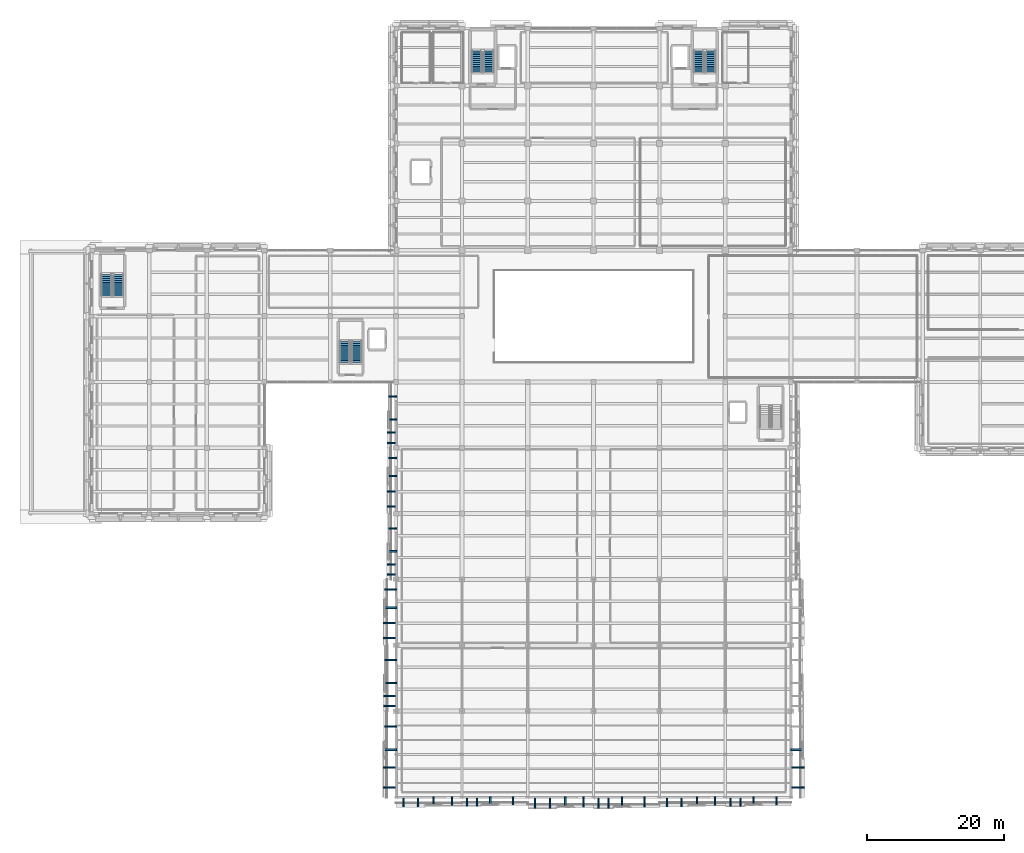
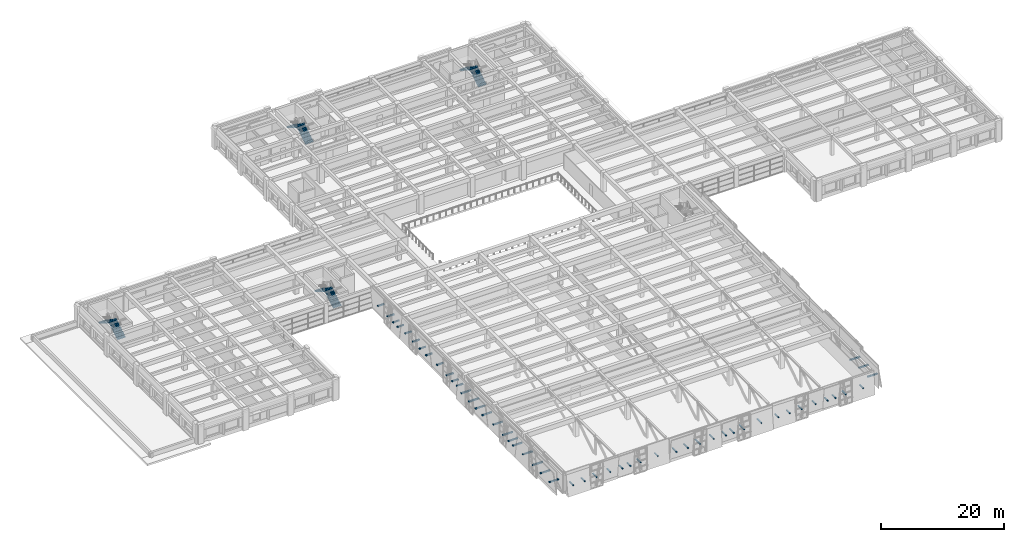
# One storey, part 50 of 62: 51 discrete accessories, 8 stair flights, 4 elements without a shape of their own.
"""IFC4 building model written with IfcOpenShell, lengths in metres."""

import ifcopenshell
import ifcopenshell.guid

model = None  # the IFC model being written
_history = None  # IfcOwnerHistory: only IFC2X3 demands one
_inside = {}  # id of a spatial element -> (the spatial element, [elements in it])
_under = {}  # id of a project, library or spatial element -> (it, [spatial elements below it])
_declared = {}  # id of a project -> (the project, [libraries it declares])
_typed = {}  # id of a type object -> (the type object, [elements of that type])
_made_of = {}  # id of a material, layer set ... -> (it, [elements and type objects made of it])


def new_model(schema):
    """Start an empty IFC model of exactly this schema.

    Asked for "IFC4X3", IfcOpenShell would pick the latest addendum, in which some entities
    have other attributes; the version numbers below select the first issue.
    IFC2X3 requires an IfcOwnerHistory on every rooted entity: one is made here for all.
    """
    global model, _history
    if schema == "IFC4X3":
        model = ifcopenshell.file(schema_version=(4, 3, 0, 0))
    else:
        model = ifcopenshell.file(schema=schema)
    _inside.clear()
    _under.clear()
    _declared.clear()
    _typed.clear()
    _made_of.clear()
    _history = None
    if model.schema == "IFC2X3":
        org = make("IfcOrganization", Name="unknown")
        user = make(
            "IfcPersonAndOrganization",
            ThePerson=make("IfcPerson", FamilyName="unknown"),
            TheOrganization=org,
        )
        app = make(
            "IfcApplication",
            ApplicationDeveloper=org,
            Version="unknown",
            ApplicationFullName="unknown",
            ApplicationIdentifier="unknown",
        )
        _history = make(
            "IfcOwnerHistory",
            OwningUser=user,
            OwningApplication=app,
            ChangeAction="ADDED",
            CreationDate=0,
        )
    return model


def make(cls, **values):
    """One entity of the class cls with the attributes given. An attribute that is None is left unset."""
    return model.create_entity(
        cls, **{name: value for name, value in values.items() if value is not None}
    )


def rooted(cls, **values):
    """An entity with a GlobalId (a new one), such as an element, a storey or a relation."""
    return make(cls, GlobalId=ifcopenshell.guid.new(), OwnerHistory=_history, **values)


def si_unit(unit_type, name, prefix=None):
    """IfcSIUnit, for example si_unit("LENGTHUNIT", "METRE", prefix="MILLI")."""
    return make("IfcSIUnit", UnitType=unit_type, Prefix=prefix, Name=name)


def assignment(units):
    """IfcUnitAssignment: the units of a project."""
    return None if units is None else make("IfcUnitAssignment", Units=units)


def point(xyz):
    """IfcCartesianPoint."""
    return None if xyz is None else make("IfcCartesianPoint", Coordinates=xyz)


def direction(xyz):
    """IfcDirection."""
    return None if xyz is None else make("IfcDirection", DirectionRatios=xyz)


def frame(location, z_axis=None, x_axis=None):
    """IfcAxis2Placement3D, a coordinate frame: its origin and axes. An axis left out is left unset."""
    return make(
        "IfcAxis2Placement3D",
        Location=point(location),
        Axis=direction(z_axis),
        RefDirection=direction(x_axis),
    )


def frame_2d(location, x_axis=None):
    """IfcAxis2Placement2D, a coordinate frame in the plane: its origin and x axis."""
    return make(
        "IfcAxis2Placement2D", Location=point(location), RefDirection=direction(x_axis)
    )


def origin():
    """The frame at (0, 0, 0) with its axes left unset."""
    return frame((0.0, 0.0, 0.0))


def origin_2d():
    """The frame at (0, 0) in the plane with its x axis left unset."""
    return frame_2d((0.0, 0.0))


def place(relative_to, where):
    """IfcLocalPlacement: puts the frame where relative to a parent placement (None: the world)."""
    return make(
        "IfcLocalPlacement", PlacementRelTo=relative_to, RelativePlacement=where
    )


def context(
    kind, dimensions, precision=None, world=None, true_north=None, identifier=None
):
    """IfcGeometricRepresentationContext, for example the 3D "Model" context."""
    return make(
        "IfcGeometricRepresentationContext",
        ContextIdentifier=identifier,
        ContextType=kind,
        CoordinateSpaceDimension=dimensions,
        Precision=precision,
        WorldCoordinateSystem=world,
        TrueNorth=true_north,
    )


def subcontext(parent, identifier, kind, view, scale=None):
    """IfcGeometricRepresentationSubContext, for example "Body" below "Model"."""
    return make(
        "IfcGeometricRepresentationSubContext",
        ContextIdentifier=identifier,
        ContextType=kind,
        ParentContext=parent,
        TargetScale=scale,
        TargetView=view,
    )


def project(units=None, contexts=None):
    """IfcProject with its units and contexts."""
    return rooted(
        "IfcProject",
        Name="project",
        RepresentationContexts=contexts,
        UnitsInContext=assignment(units),
    )


def spatial(cls, under=None, at=None, **own):
    """A site, building, storey or space (cls), placed at a placement, below another one or the project."""
    s = rooted(cls, ObjectPlacement=at, **own)
    if under is not None:
        _under.setdefault(under.id(), (under, []))[1].append(s)
    return s


def polyline(points):
    """IfcPolyline through the points."""
    return make("IfcPolyline", Points=[point(p) for p in points])


def profile(cls, at=None, kind="AREA", **sizes):
    """A parametric profile (cls). Its sizes go by their IFC names, for example OverallWidth=200.0."""
    return make(cls, ProfileType=kind, Position=at, **sizes)


def rectangle(**sizes):
    """IfcRectangleProfileDef."""
    return profile("IfcRectangleProfileDef", **sizes)


def outline(outer, holes=None, kind="AREA"):
    """IfcArbitraryClosedProfileDef: a profile drawn as a closed curve; with holes, ...WithVoids."""
    if holes is None:
        return make("IfcArbitraryClosedProfileDef", ProfileType=kind, OuterCurve=outer)
    return make(
        "IfcArbitraryProfileDefWithVoids",
        ProfileType=kind,
        OuterCurve=outer,
        InnerCurves=holes,
    )


def extrude(swept, where, along, depth):
    """IfcExtrudedAreaSolid: the profile swept, set in the frame where, extruded along a direction by depth."""
    return make(
        "IfcExtrudedAreaSolid",
        SweptArea=swept,
        Position=where,
        ExtrudedDirection=direction(along),
        Depth=depth,
    )


def shape(context_of_items, identifier, shape_type, items):
    """IfcShapeRepresentation: the items that make up one representation, for example the "Body"."""
    return make(
        "IfcShapeRepresentation",
        ContextOfItems=context_of_items,
        RepresentationIdentifier=identifier,
        RepresentationType=shape_type,
        Items=items,
    )


def material(Name=None, Category=None):
    """IfcMaterial."""
    return make("IfcMaterial", Name=Name, Category=Category)


def layer(
    of_material, thickness, ventilated=None, Name=None, Category=None, Priority=None
):
    """IfcMaterialLayer: one layer of a wall or slab, of a material (None: an air gap)."""
    return make(
        "IfcMaterialLayer",
        Material=of_material,
        LayerThickness=thickness,
        IsVentilated=ventilated,
        Name=Name,
        Category=Category,
        Priority=Priority,
    )


def layer_set(layers, Name=None):
    """IfcMaterialLayerSet."""
    return make("IfcMaterialLayerSet", MaterialLayers=layers, LayerSetName=Name)


def made_of(thing, what):
    """Note that an element or type object is made of a material, layer set ...; save() writes the relation."""
    if what is not None:
        _made_of.setdefault(what.id(), (what, []))[1].append(thing)
    return thing


def type_object(cls, material=None, **own):
    """A type object (cls), such as IfcWallType, which elements share."""
    return made_of(rooted(cls, **own), material)


def element(
    cls,
    number,
    at=None,
    inside=None,
    cuts=None,
    type_object=None,
    material=None,
    context=None,
    identifier="Body",
    shape_type=None,
    held_by="IfcProductDefinitionShape",
    body=None,
    shapes=None,
    **own,
):
    """One element of the class cls, such as IfcWall. Its Tag is "e" and its number.

    at: its placement. inside: the storey or other place that contains it. cuts: it is an
    opening in that element (IfcRelVoidsElement). A single representation is given by context,
    identifier, shape_type and body (its items); several are given by shapes. held_by: the class
    of the entity that holds the representations. save() writes the other relations.
    """
    e = rooted(cls, Tag="e%d" % number, ObjectPlacement=at, **own)
    if body is not None:
        shapes = [shape(context, identifier, shape_type, body)]
    if shapes is not None:
        e.Representation = make(held_by, Representations=shapes)
    if inside is not None:
        _inside.setdefault(inside.id(), (inside, []))[1].append(e)
    if cuts is not None:
        rooted(
            "IfcRelVoidsElement", RelatingBuildingElement=cuts, RelatedOpeningElement=e
        )
    if type_object is not None:
        _typed.setdefault(type_object.id(), (type_object, []))[1].append(e)
    return made_of(e, material)


def aggregate(whole, parts):
    """IfcRelAggregates: a whole, such as a stair, and the parts it consists of."""
    return rooted("IfcRelAggregates", RelatingObject=whole, RelatedObjects=parts)


def save(model, path):
    """Write the relations noted so far, then the file.

    IfcRelAggregates (storeys below a building ...), IfcRelContainedInSpatialStructure (elements
    in a storey), IfcRelDefinesByType, IfcRelAssociatesMaterial and IfcRelDeclares: one each for
    every whole, place, type object, material and project.
    """
    for whole, parts in _under.values():
        aggregate(whole, parts)
    for where, things in _inside.values():
        rooted(
            "IfcRelContainedInSpatialStructure",
            RelatedElements=things,
            RelatingStructure=where,
        )
    for kind, things in _typed.values():
        rooted("IfcRelDefinesByType", RelatedObjects=things, RelatingType=kind)
    for what, things in _made_of.values():
        rooted("IfcRelAssociatesMaterial", RelatedObjects=things, RelatingMaterial=what)
    for by, libraries in _declared.values():
        rooted("IfcRelDeclares", RelatingContext=by, RelatedDefinitions=libraries)
    model.write(path)


model = new_model("IFC4")

# Units and contexts
model_context = context("Model", 3, precision=1e-05, world=origin(), true_north=direction((0.0, 1.0)))
body_context = subcontext(model_context, "Body", "Model", "MODEL_VIEW")
ifc_project = project(units=[si_unit("LENGTHUNIT", "METRE"), si_unit("AREAUNIT", "SQUARE_METRE"), si_unit("VOLUMEUNIT", "CUBIC_METRE"), si_unit("PLANEANGLEUNIT", "RADIAN"), si_unit("MASSUNIT", "GRAM", prefix="KILO")], contexts=[model_context])

# Site, building, storey
site_placement = place(None, origin())
site = spatial("IfcSite", under=ifc_project, at=site_placement, CompositionType="ELEMENT")
building_placement = place(site_placement, origin())
building = spatial("IfcBuilding", under=site, at=building_placement, Name="Bempovik Park Faculty of Sciences", CompositionType="ELEMENT")
storey_placement = place(building_placement, frame((0.0, 0.0, 9.89990234375)))
storey = spatial("IfcBuildingStorey", under=building, at=storey_placement, Name="L02", CompositionType="ELEMENT", Elevation=9.89990234375)

# Stair, stair flights
ifc_material_1 = material(Name="Concrete C35/45", Category="concrete")
stair_type = type_object("IfcStairType", Name="ST-16 Stair W1500 H4200", PredefinedType="HALF_TURN_STAIR", material=ifc_material_1)
stair_1_placement = place(storey_placement, origin())
stair_1 = element("IfcStair", 1, at=stair_1_placement, inside=storey, type_object=stair_type, Name="L02 ST-1 Dog-Leg Exit Stair", PredefinedType="HALF_TURN_STAIR")
stair_flight_type = type_object("IfcStairFlightType", Name="FL-13 Flight W1500 H4200", PredefinedType="STRAIGHT", material=ifc_material_1)
stair_flight_1_placement = place(storey_placement, frame((73.5, 113.0, 0.0), z_axis=(0.0, 0.0, 1.0), x_axis=(0.0, 1.0, 0.0)))
stair_flight_1 = element("IfcStairFlight", 2, at=stair_flight_1_placement, type_object=stair_flight_type, Name="ST-16 flight 1", NumberOfRisers=12, NumberOfTreads=11, PredefinedType="STRAIGHT", RiserHeight=0.175, TreadLength=0.28125, context=body_context, shape_type="SweptSolid", body=[
    extrude(outline(polyline([(0.0, 0.0), (0.0, 0.175048828125), (0.28125, 0.175048828125), (0.28125, 0.35009765625), (0.5625, 0.35009765625), (0.5625, 0.52490234375), (0.84375, 0.52490234375), (0.84375, 0.699951171875), (1.125, 0.699951171875), (1.125, 0.875), (1.40625, 0.875), (1.40625, 1.050048828125), (1.6875, 1.050048828125), (1.6875, 1.22509765625), (1.96875, 1.22509765625), (1.96875, 1.39990234375), (2.25, 1.39990234375), (2.25, 1.574951171875), (2.53125, 1.574951171875), (2.53125, 1.75), (2.8125, 1.75), (2.8125, 1.925048828125), (3.09375, 1.925048828125), (3.09375, 2.10009765625), (3.09375, 1.74853515625), (0.28369140625, 0.0), (0.0625, -0.0625), (0.0, -0.0625), (0.0, 0.0)])), frame((0.0, 0.75, 0.0), z_axis=(0.0, -1.0, 0.0), x_axis=(1.0, 0.0, 0.0)), (0.0, 0.0, 1.0), 1.5),
])
stair_flight_2_placement = place(storey_placement, frame((71.75, 116.09375, 2.10009765625), z_axis=(0.0, 0.0, 1.0), x_axis=(0.0, -1.0, 0.0)))
stair_flight_2 = element("IfcStairFlight", 3, at=stair_flight_2_placement, type_object=stair_flight_type, Name="ST-16 flight 2", NumberOfRisers=12, NumberOfTreads=11, PredefinedType="STRAIGHT", RiserHeight=0.175, TreadLength=0.28125, context=body_context, shape_type="SweptSolid", body=[
    extrude(outline(polyline([(0.0, 0.0), (0.0, 0.175048828125), (0.28125, 0.175048828125), (0.28125, 0.35009765625), (0.5625, 0.35009765625), (0.5625, 0.52490234375), (0.84375, 0.52490234375), (0.84375, 0.699951171875), (1.125, 0.699951171875), (1.125, 0.875), (1.40625, 0.875), (1.40625, 1.050048828125), (1.6875, 1.050048828125), (1.6875, 1.22509765625), (1.96875, 1.22509765625), (1.96875, 1.39990234375), (2.25, 1.39990234375), (2.25, 1.574951171875), (2.53125, 1.574951171875), (2.53125, 1.75), (2.8125, 1.75), (2.8125, 1.925048828125), (3.09375, 1.925048828125), (3.09375, 2.10009765625), (3.09375, 1.74853515625), (0.28369140625, 0.0), (0.0625, -0.0625), (0.0, -0.0625), (0.0, 0.0)])), frame((0.0, 0.75, 0.0), z_axis=(0.0, -1.0, 0.0), x_axis=(1.0, 0.0, 0.0)), (0.0, 0.0, 1.0), 1.5),
])
aggregate(stair_1, [stair_flight_1, stair_flight_2])

stair_2_placement = place(storey_placement, origin())
stair_2 = element("IfcStair", 4, at=stair_2_placement, inside=storey, type_object=stair_type, Name="L02 ST-2 Dog-Leg Exit Stair", PredefinedType="HALF_TURN_STAIR")
stair_flight_3_placement = place(storey_placement, frame((105.875, 113.0, 0.0), z_axis=(0.0, 0.0, 1.0), x_axis=(0.0, 1.0, 0.0)))
stair_flight_3 = element("IfcStairFlight", 5, at=stair_flight_3_placement, type_object=stair_flight_type, Name="ST-16 flight 1", NumberOfRisers=12, NumberOfTreads=11, PredefinedType="STRAIGHT", RiserHeight=0.175, TreadLength=0.28125, context=body_context, shape_type="SweptSolid", body=[
    extrude(outline(polyline([(0.0, 0.0), (0.0, 0.175048828125), (0.28125, 0.175048828125), (0.28125, 0.35009765625), (0.5625, 0.35009765625), (0.5625, 0.52490234375), (0.84375, 0.52490234375), (0.84375, 0.699951171875), (1.125, 0.699951171875), (1.125, 0.875), (1.40625, 0.875), (1.40625, 1.050048828125), (1.6875, 1.050048828125), (1.6875, 1.22509765625), (1.96875, 1.22509765625), (1.96875, 1.39990234375), (2.25, 1.39990234375), (2.25, 1.574951171875), (2.53125, 1.574951171875), (2.53125, 1.75), (2.8125, 1.75), (2.8125, 1.925048828125), (3.09375, 1.925048828125), (3.09375, 2.10009765625), (3.09375, 1.74853515625), (0.28369140625, 0.0), (0.0625, -0.0625), (0.0, -0.0625), (0.0, 0.0)])), frame((0.0, 0.75, 0.0), z_axis=(0.0, -1.0, 0.0), x_axis=(1.0, 0.0, 0.0)), (0.0, 0.0, 1.0), 1.5),
])
stair_flight_4_placement = place(storey_placement, frame((104.125, 116.09375, 2.10009765625), z_axis=(0.0, 0.0, 1.0), x_axis=(0.0, -1.0, 0.0)))
stair_flight_4 = element("IfcStairFlight", 6, at=stair_flight_4_placement, type_object=stair_flight_type, Name="ST-16 flight 2", NumberOfRisers=12, NumberOfTreads=11, PredefinedType="STRAIGHT", RiserHeight=0.175, TreadLength=0.28125, context=body_context, shape_type="SweptSolid", body=[
    extrude(outline(polyline([(0.0, 0.0), (0.0, 0.175048828125), (0.28125, 0.175048828125), (0.28125, 0.35009765625), (0.5625, 0.35009765625), (0.5625, 0.52490234375), (0.84375, 0.52490234375), (0.84375, 0.699951171875), (1.125, 0.699951171875), (1.125, 0.875), (1.40625, 0.875), (1.40625, 1.050048828125), (1.6875, 1.050048828125), (1.6875, 1.22509765625), (1.96875, 1.22509765625), (1.96875, 1.39990234375), (2.25, 1.39990234375), (2.25, 1.574951171875), (2.53125, 1.574951171875), (2.53125, 1.75), (2.8125, 1.75), (2.8125, 1.925048828125), (3.09375, 1.925048828125), (3.09375, 2.10009765625), (3.09375, 1.74853515625), (0.28369140625, 0.0), (0.0625, -0.0625), (0.0, -0.0625), (0.0, 0.0)])), frame((0.0, 0.75, 0.0), z_axis=(0.0, -1.0, 0.0), x_axis=(1.0, 0.0, 0.0)), (0.0, 0.0, 1.0), 1.5),
])
aggregate(stair_2, [stair_flight_3, stair_flight_4])

stair_3_placement = place(storey_placement, origin())
stair_3 = element("IfcStair", 7, at=stair_3_placement, inside=storey, type_object=stair_type, Name="L02 ST-3 Dog-Leg Exit Stair", PredefinedType="HALF_TURN_STAIR")
stair_flight_5_placement = place(storey_placement, frame((19.5, 80.375, 0.0), z_axis=(0.0, 0.0, 1.0), x_axis=(0.0, 1.0, 0.0)))
stair_flight_5 = element("IfcStairFlight", 8, at=stair_flight_5_placement, type_object=stair_flight_type, Name="ST-16 flight 1", NumberOfRisers=12, NumberOfTreads=11, PredefinedType="STRAIGHT", RiserHeight=0.175, TreadLength=0.28125, context=body_context, shape_type="SweptSolid", body=[
    extrude(outline(polyline([(0.0, 0.0), (0.0, 0.175048828125), (0.28125, 0.175048828125), (0.28125, 0.35009765625), (0.5625, 0.35009765625), (0.5625, 0.52490234375), (0.84375, 0.52490234375), (0.84375, 0.699951171875), (1.125, 0.699951171875), (1.125, 0.875), (1.40625, 0.875), (1.40625, 1.050048828125), (1.6875, 1.050048828125), (1.6875, 1.22509765625), (1.96875, 1.22509765625), (1.96875, 1.39990234375), (2.25, 1.39990234375), (2.25, 1.574951171875), (2.53125, 1.574951171875), (2.53125, 1.75), (2.8125, 1.75), (2.8125, 1.925048828125), (3.09375, 1.925048828125), (3.09375, 2.10009765625), (3.09375, 1.74853515625), (0.28369140625, 0.0), (0.0625, -0.0625), (0.0, -0.0625), (0.0, 0.0)])), frame((0.0, 0.75, 0.0), z_axis=(0.0, -1.0, 0.0), x_axis=(1.0, 0.0, 0.0)), (0.0, 0.0, 1.0), 1.5),
])
stair_flight_6_placement = place(storey_placement, frame((17.75, 83.46875, 2.10009765625), z_axis=(0.0, 0.0, 1.0), x_axis=(0.0, -1.0, 0.0)))
stair_flight_6 = element("IfcStairFlight", 9, at=stair_flight_6_placement, type_object=stair_flight_type, Name="ST-16 flight 2", NumberOfRisers=12, NumberOfTreads=11, PredefinedType="STRAIGHT", RiserHeight=0.175, TreadLength=0.28125, context=body_context, shape_type="SweptSolid", body=[
    extrude(outline(polyline([(0.0, 0.0), (0.0, 0.175048828125), (0.28125, 0.175048828125), (0.28125, 0.35009765625), (0.5625, 0.35009765625), (0.5625, 0.52490234375), (0.84375, 0.52490234375), (0.84375, 0.699951171875), (1.125, 0.699951171875), (1.125, 0.875), (1.40625, 0.875), (1.40625, 1.050048828125), (1.6875, 1.050048828125), (1.6875, 1.22509765625), (1.96875, 1.22509765625), (1.96875, 1.39990234375), (2.25, 1.39990234375), (2.25, 1.574951171875), (2.53125, 1.574951171875), (2.53125, 1.75), (2.8125, 1.75), (2.8125, 1.925048828125), (3.09375, 1.925048828125), (3.09375, 2.10009765625), (3.09375, 1.74853515625), (0.28369140625, 0.0), (0.0625, -0.0625), (0.0, -0.0625), (0.0, 0.0)])), frame((0.0, 0.75, 0.0), z_axis=(0.0, -1.0, 0.0), x_axis=(1.0, 0.0, 0.0)), (0.0, 0.0, 1.0), 1.5),
])
aggregate(stair_3, [stair_flight_5, stair_flight_6])

stair_4_placement = place(storey_placement, origin())
stair_4 = element("IfcStair", 10, at=stair_4_placement, inside=storey, type_object=stair_type, Name="L02 ST-4 Dog-Leg Exit Stair", PredefinedType="HALF_TURN_STAIR")
stair_flight_7_placement = place(storey_placement, frame((54.25, 70.625, 0.0), z_axis=(0.0, 0.0, 1.0), x_axis=(0.0, 1.0, 0.0)))
stair_flight_7 = element("IfcStairFlight", 11, at=stair_flight_7_placement, type_object=stair_flight_type, Name="ST-16 flight 1", NumberOfRisers=12, NumberOfTreads=11, PredefinedType="STRAIGHT", RiserHeight=0.175, TreadLength=0.28125, context=body_context, shape_type="SweptSolid", body=[
    extrude(outline(polyline([(0.0, 0.0), (0.0, 0.175048828125), (0.28125, 0.175048828125), (0.28125, 0.35009765625), (0.5625, 0.35009765625), (0.5625, 0.52490234375), (0.84375, 0.52490234375), (0.84375, 0.699951171875), (1.125, 0.699951171875), (1.125, 0.875), (1.40625, 0.875), (1.40625, 1.050048828125), (1.6875, 1.050048828125), (1.6875, 1.22509765625), (1.96875, 1.22509765625), (1.96875, 1.39990234375), (2.25, 1.39990234375), (2.25, 1.574951171875), (2.53125, 1.574951171875), (2.53125, 1.75), (2.8125, 1.75), (2.8125, 1.925048828125), (3.09375, 1.925048828125), (3.09375, 2.10009765625), (3.09375, 1.74853515625), (0.28369140625, 0.0), (0.0625, -0.0625), (0.0, -0.0625), (0.0, 0.0)])), frame((0.0, 0.75, 0.0), z_axis=(0.0, -1.0, 0.0), x_axis=(1.0, 0.0, 0.0)), (0.0, 0.0, 1.0), 1.5),
])
stair_flight_8_placement = place(storey_placement, frame((52.5, 73.71875, 2.10009765625), z_axis=(0.0, 0.0, 1.0), x_axis=(0.0, -1.0, 0.0)))
stair_flight_8 = element("IfcStairFlight", 12, at=stair_flight_8_placement, type_object=stair_flight_type, Name="ST-16 flight 2", NumberOfRisers=12, NumberOfTreads=11, PredefinedType="STRAIGHT", RiserHeight=0.175, TreadLength=0.28125, context=body_context, shape_type="SweptSolid", body=[
    extrude(outline(polyline([(0.0, 0.0), (0.0, 0.175048828125), (0.28125, 0.175048828125), (0.28125, 0.35009765625), (0.5625, 0.35009765625), (0.5625, 0.52490234375), (0.84375, 0.52490234375), (0.84375, 0.699951171875), (1.125, 0.699951171875), (1.125, 0.875), (1.40625, 0.875), (1.40625, 1.050048828125), (1.6875, 1.050048828125), (1.6875, 1.22509765625), (1.96875, 1.22509765625), (1.96875, 1.39990234375), (2.25, 1.39990234375), (2.25, 1.574951171875), (2.53125, 1.574951171875), (2.53125, 1.75), (2.8125, 1.75), (2.8125, 1.925048828125), (3.09375, 1.925048828125), (3.09375, 2.10009765625), (3.09375, 1.74853515625), (0.28369140625, 0.0), (0.0625, -0.0625), (0.0, -0.0625), (0.0, 0.0)])), frame((0.0, 0.75, 0.0), z_axis=(0.0, -1.0, 0.0), x_axis=(1.0, 0.0, 0.0)), (0.0, 0.0, 1.0), 1.5),
])
aggregate(stair_4, [stair_flight_7, stair_flight_8])

# Discrete accessories
ifc_material_2 = material(Name="Steel S355", Category="steel")
ifc_layer = layer(ifc_material_2, 0.14990234375)
ifc_layer_set = layer_set([ifc_layer], Name="Steel S355")
discrete_accessory_type = type_object("IfcDiscreteAccessoryType", Name="BK-01 Facade Support Bracket", PredefinedType="BRACKET", material=ifc_layer_set)
for number, where, z_axis, x_axis, name in (
    (13, (118.60009765625, 8.648681640625, 1.4501953125), (0.0, 0.0, 1.0), (1.0, 0.0, 0.0), "Crystal Cladding Support Bracket FAC-CRYS-L02-1176-72-BK1"),
    (14, (118.60009765625, 11.54638671875, 1.4501953125), (0.0, 0.0, 1.0), (1.0, 0.0, 0.0), "Crystal Cladding Support Bracket FAC-CRYS-L02-1176-72-BK2"),
):
    element("IfcDiscreteAccessory", number, at=place(storey_placement, frame(where, z_axis=z_axis, x_axis=x_axis)), inside=storey, type_object=discrete_accessory_type, Name=name, PredefinedType="BRACKET", context=body_context, shape_type="SweptSolid", body=[
        extrude(rectangle(XDim=1.80029296875, YDim=0.219970703125, at=origin_2d()), origin(), (0.0, 0.0, 1.0), 0.179931640625),
    ])
discrete_accessory_1_placement = place(storey_placement, frame((118.47021484375, 14.175048828125, 1.4501953125), z_axis=(0.0, 0.0, 1.0), x_axis=(1.0, 0.0, 0.0)))
element("IfcDiscreteAccessory", 15, at=discrete_accessory_1_placement, inside=storey, type_object=discrete_accessory_type, Name="Crystal Fold Tie Bracket FAC-CRYS-L02-1176-72-BKF", PredefinedType="BRACKET", context=body_context, shape_type="SweptSolid", body=[
    extrude(rectangle(XDim=1.900390625, YDim=0.239990234375, at=origin_2d()), origin(), (0.0, 0.0, 1.0), 0.179931640625),
])
discrete_accessory_2_placement = place(storey_placement, frame((68.12744140625, 6.689697265625, 1.4501953125), z_axis=(0.0, 0.0, 1.0), x_axis=(1.0, 0.0, 0.0)))
element("IfcDiscreteAccessory", 16, at=discrete_accessory_2_placement, inside=storey, type_object=discrete_accessory_type, Name="Crystal Cladding Support Bracket FAC-CRYS-L02-72-600-BKR", PredefinedType="BRACKET", context=body_context, shape_type="SweptSolid", body=[
    extrude(rectangle(XDim=0.219970703125, YDim=1.200439453125, at=origin_2d()), origin(), (0.0, 0.0, 1.0), 0.179931640625),
])
for number, where, z_axis, x_axis, name in (
    (17, (61.07373046875, 6.48974609375, 1.4501953125), (0.0, 0.0, 1.0), (1.0, 0.0, 0.0), "Crystal Cladding Support Bracket FAC-CRYS-L02-72-600-BK1"),
    (18, (63.22119140625, 6.48974609375, 1.4501953125), (0.0, 0.0, 1.0), (1.0, 0.0, 0.0), "Crystal Cladding Support Bracket FAC-CRYS-L02-72-600-BK2"),
):
    element("IfcDiscreteAccessory", number, at=place(storey_placement, frame(where, z_axis=z_axis, x_axis=x_axis)), inside=storey, type_object=discrete_accessory_type, Name=name, PredefinedType="BRACKET", context=body_context, shape_type="SweptSolid", body=[
        extrude(rectangle(XDim=0.219970703125, YDim=1.220458984375, at=origin_2d()), origin(), (0.0, 0.0, 1.0), 0.179931640625),
    ])
discrete_accessory_3_placement = place(storey_placement, frame((65.47509765625, 6.619873046875, 1.4501953125), z_axis=(0.0, 0.0, 1.0), x_axis=(1.0, 0.0, 0.0)))
element("IfcDiscreteAccessory", 19, at=discrete_accessory_3_placement, inside=storey, type_object=discrete_accessory_type, Name="Crystal Fold Tie Bracket FAC-CRYS-L02-72-600-BKF", PredefinedType="BRACKET", context=body_context, shape_type="SweptSolid", body=[
    extrude(rectangle(XDim=0.239990234375, YDim=1.3203125, at=origin_2d()), origin(), (0.0, 0.0, 1.0), 0.179931640625),
])
discrete_accessory_4_placement = place(storey_placement, frame((77.052490234375, 6.72216796875, 1.4501953125), z_axis=(0.0, 0.0, 1.0), x_axis=(1.0, 0.0, 0.0)))
element("IfcDiscreteAccessory", 20, at=discrete_accessory_4_placement, inside=storey, type_object=discrete_accessory_type, Name="Crystal Cladding Support Bracket FAC-CRYS-L02-72-696-BKR", PredefinedType="BRACKET", context=body_context, shape_type="SweptSolid", body=[
    extrude(rectangle(XDim=0.219970703125, YDim=1.135986328125, at=origin_2d()), origin(), (0.0, 0.0, 1.0), 0.179931640625),
])
for number, where, z_axis, x_axis, name in (
    (21, (70.336181640625, 6.522216796875, 1.4501953125), (0.0, 0.0, 1.0), (1.0, 0.0, 0.0), "Crystal Cladding Support Bracket FAC-CRYS-L02-72-696-BK1"),
    (22, (71.808837890625, 6.522216796875, 1.4501953125), (0.0, 0.0, 1.0), (1.0, 0.0, 0.0), "Crystal Cladding Support Bracket FAC-CRYS-L02-72-696-BK2"),
):
    element("IfcDiscreteAccessory", number, at=place(storey_placement, frame(where, z_axis=z_axis, x_axis=x_axis)), inside=storey, type_object=discrete_accessory_type, Name=name, PredefinedType="BRACKET", context=body_context, shape_type="SweptSolid", body=[
        extrude(rectangle(XDim=0.219970703125, YDim=1.156005859375, at=origin_2d()), origin(), (0.0, 0.0, 1.0), 0.179931640625),
    ])
discrete_accessory_5_placement = place(storey_placement, frame((73.72509765625, 6.652099609375, 1.4501953125), z_axis=(0.0, 0.0, 1.0), x_axis=(1.0, 0.0, 0.0)))
element("IfcDiscreteAccessory", 23, at=discrete_accessory_5_placement, inside=storey, type_object=discrete_accessory_type, Name="Crystal Fold Tie Bracket FAC-CRYS-L02-72-696-BKF", PredefinedType="BRACKET", context=body_context, shape_type="SweptSolid", body=[
    extrude(rectangle(XDim=0.239990234375, YDim=1.255859375, at=origin_2d()), origin(), (0.0, 0.0, 1.0), 0.179931640625),
])
discrete_accessory_6_placement = place(storey_placement, frame((87.327392578125, 6.56982421875, 1.4501953125), z_axis=(0.0, 0.0, 1.0), x_axis=(1.0, 0.0, 0.0)))
element("IfcDiscreteAccessory", 24, at=discrete_accessory_6_placement, inside=storey, type_object=discrete_accessory_type, Name="Crystal Cladding Support Bracket FAC-CRYS-L02-72-792-BKR", PredefinedType="BRACKET", context=body_context, shape_type="SweptSolid", body=[
    extrude(rectangle(XDim=0.219970703125, YDim=1.4404296875, at=origin_2d()), origin(), (0.0, 0.0, 1.0), 0.179931640625),
])
for number, where, z_axis, x_axis, name in (
    (25, (80.273681640625, 6.369873046875, 1.4501953125), (0.0, 0.0, 1.0), (1.0, 0.0, 0.0), "Crystal Cladding Support Bracket FAC-CRYS-L02-72-792-BK1"),
    (26, (82.42138671875, 6.369873046875, 1.4501953125), (0.0, 0.0, 1.0), (1.0, 0.0, 0.0), "Crystal Cladding Support Bracket FAC-CRYS-L02-72-792-BK2"),
):
    element("IfcDiscreteAccessory", number, at=place(storey_placement, frame(where, z_axis=z_axis, x_axis=x_axis)), inside=storey, type_object=discrete_accessory_type, Name=name, PredefinedType="BRACKET", context=body_context, shape_type="SweptSolid", body=[
        extrude(rectangle(XDim=0.219970703125, YDim=1.46044921875, at=origin_2d()), origin(), (0.0, 0.0, 1.0), 0.179931640625),
    ])
discrete_accessory_7_placement = place(storey_placement, frame((84.675048828125, 6.499755859375, 1.4501953125), z_axis=(0.0, 0.0, 1.0), x_axis=(1.0, 0.0, 0.0)))
element("IfcDiscreteAccessory", 27, at=discrete_accessory_7_placement, inside=storey, type_object=discrete_accessory_type, Name="Crystal Fold Tie Bracket FAC-CRYS-L02-72-792-BKF", PredefinedType="BRACKET", context=body_context, shape_type="SweptSolid", body=[
    extrude(rectangle(XDim=0.239990234375, YDim=1.560302734375, at=origin_2d()), origin(), (0.0, 0.0, 1.0), 0.179931640625),
])
discrete_accessory_8_placement = place(storey_placement, frame((96.25244140625, 6.56982421875, 1.4501953125), z_axis=(0.0, 0.0, 1.0), x_axis=(1.0, 0.0, 0.0)))
element("IfcDiscreteAccessory", 28, at=discrete_accessory_8_placement, inside=storey, type_object=discrete_accessory_type, Name="Crystal Cladding Support Bracket FAC-CRYS-L02-72-888-BKR", PredefinedType="BRACKET", context=body_context, shape_type="SweptSolid", body=[
    extrude(rectangle(XDim=0.219970703125, YDim=1.4404296875, at=origin_2d()), origin(), (0.0, 0.0, 1.0), 0.179931640625),
])
for number, where, z_axis, x_axis, name in (
    (29, (89.5361328125, 6.369873046875, 1.4501953125), (0.0, 0.0, 1.0), (1.0, 0.0, 0.0), "Crystal Cladding Support Bracket FAC-CRYS-L02-72-888-BK1"),
    (30, (91.0087890625, 6.369873046875, 1.4501953125), (0.0, 0.0, 1.0), (1.0, 0.0, 0.0), "Crystal Cladding Support Bracket FAC-CRYS-L02-72-888-BK2"),
):
    element("IfcDiscreteAccessory", number, at=place(storey_placement, frame(where, z_axis=z_axis, x_axis=x_axis)), inside=storey, type_object=discrete_accessory_type, Name=name, PredefinedType="BRACKET", context=body_context, shape_type="SweptSolid", body=[
        extrude(rectangle(XDim=0.219970703125, YDim=1.46044921875, at=origin_2d()), origin(), (0.0, 0.0, 1.0), 0.179931640625),
    ])
discrete_accessory_9_placement = place(storey_placement, frame((92.925048828125, 6.499755859375, 1.4501953125), z_axis=(0.0, 0.0, 1.0), x_axis=(1.0, 0.0, 0.0)))
element("IfcDiscreteAccessory", 31, at=discrete_accessory_9_placement, inside=storey, type_object=discrete_accessory_type, Name="Crystal Fold Tie Bracket FAC-CRYS-L02-72-888-BKF", PredefinedType="BRACKET", context=body_context, shape_type="SweptSolid", body=[
    extrude(rectangle(XDim=0.239990234375, YDim=1.560302734375, at=origin_2d()), origin(), (0.0, 0.0, 1.0), 0.179931640625),
])
discrete_accessory_10_placement = place(storey_placement, frame((106.527587890625, 6.69384765625, 1.4501953125), z_axis=(0.0, 0.0, 1.0), x_axis=(1.0, 0.0, 0.0)))
element("IfcDiscreteAccessory", 32, at=discrete_accessory_10_placement, inside=storey, type_object=discrete_accessory_type, Name="Crystal Cladding Support Bracket FAC-CRYS-L02-72-984-BKR", PredefinedType="BRACKET", context=body_context, shape_type="SweptSolid", body=[
    extrude(rectangle(XDim=0.219970703125, YDim=1.1923828125, at=origin_2d()), origin(), (0.0, 0.0, 1.0), 0.179931640625),
])
for number, where, z_axis, x_axis, name in (
    (33, (99.4736328125, 6.493896484375, 1.4501953125), (0.0, 0.0, 1.0), (1.0, 0.0, 0.0), "Crystal Cladding Support Bracket FAC-CRYS-L02-72-984-BK1"),
    (34, (101.621337890625, 6.493896484375, 1.4501953125), (0.0, 0.0, 1.0), (1.0, 0.0, 0.0), "Crystal Cladding Support Bracket FAC-CRYS-L02-72-984-BK2"),
):
    element("IfcDiscreteAccessory", number, at=place(storey_placement, frame(where, z_axis=z_axis, x_axis=x_axis)), inside=storey, type_object=discrete_accessory_type, Name=name, PredefinedType="BRACKET", context=body_context, shape_type="SweptSolid", body=[
        extrude(rectangle(XDim=0.219970703125, YDim=1.21240234375, at=origin_2d()), origin(), (0.0, 0.0, 1.0), 0.179931640625),
    ])
discrete_accessory_11_placement = place(storey_placement, frame((103.875, 6.623779296875, 1.4501953125), z_axis=(0.0, 0.0, 1.0), x_axis=(1.0, 0.0, 0.0)))
element("IfcDiscreteAccessory", 35, at=discrete_accessory_11_placement, inside=storey, type_object=discrete_accessory_type, Name="Crystal Fold Tie Bracket FAC-CRYS-L02-72-984-BKF", PredefinedType="BRACKET", context=body_context, shape_type="SweptSolid", body=[
    extrude(rectangle(XDim=0.239990234375, YDim=1.312255859375, at=origin_2d()), origin(), (0.0, 0.0, 1.0), 0.179931640625),
])
discrete_accessory_12_placement = place(storey_placement, frame((115.452392578125, 6.7099609375, 1.4501953125), z_axis=(0.0, 0.0, 1.0), x_axis=(1.0, 0.0, 0.0)))
element("IfcDiscreteAccessory", 36, at=discrete_accessory_12_placement, inside=storey, type_object=discrete_accessory_type, Name="Crystal Cladding Support Bracket FAC-CRYS-L02-72-1080-BKR", PredefinedType="BRACKET", context=body_context, shape_type="SweptSolid", body=[
    extrude(rectangle(XDim=0.219970703125, YDim=1.16015625, at=origin_2d()), origin(), (0.0, 0.0, 1.0), 0.179931640625),
])
for number, where, z_axis, x_axis, name in (
    (37, (108.736083984375, 6.510009765625, 1.4501953125), (0.0, 0.0, 1.0), (1.0, 0.0, 0.0), "Crystal Cladding Support Bracket FAC-CRYS-L02-72-1080-BK1"),
    (38, (110.208740234375, 6.510009765625, 1.4501953125), (0.0, 0.0, 1.0), (1.0, 0.0, 0.0), "Crystal Cladding Support Bracket FAC-CRYS-L02-72-1080-BK2"),
):
    element("IfcDiscreteAccessory", number, at=place(storey_placement, frame(where, z_axis=z_axis, x_axis=x_axis)), inside=storey, type_object=discrete_accessory_type, Name=name, PredefinedType="BRACKET", context=body_context, shape_type="SweptSolid", body=[
        extrude(rectangle(XDim=0.219970703125, YDim=1.18017578125, at=origin_2d()), origin(), (0.0, 0.0, 1.0), 0.179931640625),
    ])
discrete_accessory_13_placement = place(storey_placement, frame((112.125, 6.639892578125, 1.4501953125), z_axis=(0.0, 0.0, 1.0), x_axis=(1.0, 0.0, 0.0)))
element("IfcDiscreteAccessory", 39, at=discrete_accessory_13_placement, inside=storey, type_object=discrete_accessory_type, Name="Crystal Fold Tie Bracket FAC-CRYS-L02-72-1080-BKF", PredefinedType="BRACKET", context=body_context, shape_type="SweptSolid", body=[
    extrude(rectangle(XDim=0.239990234375, YDim=1.280029296875, at=origin_2d()), origin(), (0.0, 0.0, 1.0), 0.179931640625),
])
discrete_accessory_14_placement = place(storey_placement, frame((59.19970703125, 17.577392578125, 1.4501953125), z_axis=(0.0, 0.0, 1.0), x_axis=(1.0, 0.0, 0.0)))
element("IfcDiscreteAccessory", 40, at=discrete_accessory_14_placement, inside=storey, type_object=discrete_accessory_type, Name="Crystal Cladding Support Bracket FAC-CRYS-L02-600-72-BKR", PredefinedType="BRACKET", context=body_context, shape_type="SweptSolid", body=[
    extrude(rectangle(XDim=1.780517578125, YDim=0.219970703125, at=origin_2d()), origin(), (0.0, 0.0, 1.0), 0.179931640625),
])
for number, where, z_axis, x_axis, name in (
    (41, (58.999755859375, 8.648681640625, 1.4501953125), (0.0, 0.0, 1.0), (1.0, 0.0, 0.0), "Crystal Cladding Support Bracket FAC-CRYS-L02-600-72-BK1"),
    (42, (58.999755859375, 11.54638671875, 1.4501953125), (0.0, 0.0, 1.0), (1.0, 0.0, 0.0), "Crystal Cladding Support Bracket FAC-CRYS-L02-600-72-BK2"),
):
    element("IfcDiscreteAccessory", number, at=place(storey_placement, frame(where, z_axis=z_axis, x_axis=x_axis)), inside=storey, type_object=discrete_accessory_type, Name=name, PredefinedType="BRACKET", context=body_context, shape_type="SweptSolid", body=[
        extrude(rectangle(XDim=1.80029296875, YDim=0.219970703125, at=origin_2d()), origin(), (0.0, 0.0, 1.0), 0.179931640625),
    ])
discrete_accessory_15_placement = place(storey_placement, frame((59.1298828125, 14.175048828125, 1.4501953125), z_axis=(0.0, 0.0, 1.0), x_axis=(1.0, 0.0, 0.0)))
element("IfcDiscreteAccessory", 43, at=discrete_accessory_15_placement, inside=storey, type_object=discrete_accessory_type, Name="Crystal Fold Tie Bracket FAC-CRYS-L02-600-72-BKF", PredefinedType="BRACKET", context=body_context, shape_type="SweptSolid", body=[
    extrude(rectangle(XDim=1.900390625, YDim=0.239990234375, at=origin_2d()), origin(), (0.0, 0.0, 1.0), 0.179931640625),
])
discrete_accessory_16_placement = place(storey_placement, frame((59.232177734375, 27.25244140625, 1.4501953125), z_axis=(0.0, 0.0, 1.0), x_axis=(1.0, 0.0, 0.0)))
element("IfcDiscreteAccessory", 44, at=discrete_accessory_16_placement, inside=storey, type_object=discrete_accessory_type, Name="Crystal Cladding Support Bracket FAC-CRYS-L02-600-198-BKR", PredefinedType="BRACKET", context=body_context, shape_type="SweptSolid", body=[
    extrude(rectangle(XDim=1.7158203125, YDim=0.219970703125, at=origin_2d()), origin(), (0.0, 0.0, 1.0), 0.179931640625),
])
for number, where, z_axis, x_axis, name in (
    (45, (59.031982421875, 20.536376953125, 1.4501953125), (0.0, 0.0, 1.0), (1.0, 0.0, 0.0), "Crystal Cladding Support Bracket FAC-CRYS-L02-600-198-BK1"),
    (46, (59.031982421875, 22.0087890625, 1.4501953125), (0.0, 0.0, 1.0), (1.0, 0.0, 0.0), "Crystal Cladding Support Bracket FAC-CRYS-L02-600-198-BK2"),
):
    element("IfcDiscreteAccessory", number, at=place(storey_placement, frame(where, z_axis=z_axis, x_axis=x_axis)), inside=storey, type_object=discrete_accessory_type, Name=name, PredefinedType="BRACKET", context=body_context, shape_type="SweptSolid", body=[
        extrude(rectangle(XDim=1.73583984375, YDim=0.219970703125, at=origin_2d()), origin(), (0.0, 0.0, 1.0), 0.179931640625),
    ])
discrete_accessory_17_placement = place(storey_placement, frame((59.162109375, 23.925048828125, 1.4501953125), z_axis=(0.0, 0.0, 1.0), x_axis=(1.0, 0.0, 0.0)))
element("IfcDiscreteAccessory", 47, at=discrete_accessory_17_placement, inside=storey, type_object=discrete_accessory_type, Name="Crystal Fold Tie Bracket FAC-CRYS-L02-600-198-BKF", PredefinedType="BRACKET", context=body_context, shape_type="SweptSolid", body=[
    extrude(rectangle(XDim=1.8359375, YDim=0.239990234375, at=origin_2d()), origin(), (0.0, 0.0, 1.0), 0.179931640625),
])
discrete_accessory_18_placement = place(storey_placement, frame((59.2158203125, 37.527587890625, 1.4501953125), z_axis=(0.0, 0.0, 1.0), x_axis=(1.0, 0.0, 0.0)))
element("IfcDiscreteAccessory", 48, at=discrete_accessory_18_placement, inside=storey, type_object=discrete_accessory_type, Name="Crystal Cladding Support Bracket FAC-CRYS-L02-600-294-BKR", PredefinedType="BRACKET", context=body_context, shape_type="SweptSolid", body=[
    extrude(rectangle(XDim=1.748291015625, YDim=0.219970703125, at=origin_2d()), origin(), (0.0, 0.0, 1.0), 0.179931640625),
])
for number, where, z_axis, x_axis, name in (
    (49, (59.015869140625, 30.4736328125, 1.4501953125), (0.0, 0.0, 1.0), (1.0, 0.0, 0.0), "Crystal Cladding Support Bracket FAC-CRYS-L02-600-294-BK1"),
    (50, (59.015869140625, 32.62109375, 1.4501953125), (0.0, 0.0, 1.0), (1.0, 0.0, 0.0), "Crystal Cladding Support Bracket FAC-CRYS-L02-600-294-BK2"),
):
    element("IfcDiscreteAccessory", number, at=place(storey_placement, frame(where, z_axis=z_axis, x_axis=x_axis)), inside=storey, type_object=discrete_accessory_type, Name=name, PredefinedType="BRACKET", context=body_context, shape_type="SweptSolid", body=[
        extrude(rectangle(XDim=1.768310546875, YDim=0.219970703125, at=origin_2d()), origin(), (0.0, 0.0, 1.0), 0.179931640625),
    ])
discrete_accessory_19_placement = place(storey_placement, frame((59.14599609375, 34.875, 1.4501953125), z_axis=(0.0, 0.0, 1.0), x_axis=(1.0, 0.0, 0.0)))
element("IfcDiscreteAccessory", 51, at=discrete_accessory_19_placement, inside=storey, type_object=discrete_accessory_type, Name="Crystal Fold Tie Bracket FAC-CRYS-L02-600-294-BKF", PredefinedType="BRACKET", context=body_context, shape_type="SweptSolid", body=[
    extrude(rectangle(XDim=1.8681640625, YDim=0.239990234375, at=origin_2d()), origin(), (0.0, 0.0, 1.0), 0.179931640625),
])
discrete_accessory_20_placement = place(storey_placement, frame((59.497802734375, 46.452392578125, 1.4501953125), z_axis=(0.0, 0.0, 1.0), x_axis=(1.0, 0.0, 0.0)))
element("IfcDiscreteAccessory", 52, at=discrete_accessory_20_placement, inside=storey, type_object=discrete_accessory_type, Name="Crystal Cladding Support Bracket FAC-CRYS-L02-600-390-BKR", PredefinedType="BRACKET", context=body_context, shape_type="SweptSolid", body=[
    extrude(rectangle(XDim=1.184326171875, YDim=0.219970703125, at=origin_2d()), origin(), (0.0, 0.0, 1.0), 0.179931640625),
])
for number, where, z_axis, x_axis, name in (
    (53, (59.2978515625, 39.736083984375, 1.4501953125), (0.0, 0.0, 1.0), (1.0, 0.0, 0.0), "Crystal Cladding Support Bracket FAC-CRYS-L02-600-390-BK1"),
    (54, (59.2978515625, 41.208740234375, 1.4501953125), (0.0, 0.0, 1.0), (1.0, 0.0, 0.0), "Crystal Cladding Support Bracket FAC-CRYS-L02-600-390-BK2"),
):
    element("IfcDiscreteAccessory", number, at=place(storey_placement, frame(where, z_axis=z_axis, x_axis=x_axis)), inside=storey, type_object=discrete_accessory_type, Name=name, PredefinedType="BRACKET", context=body_context, shape_type="SweptSolid", body=[
        extrude(rectangle(XDim=1.204345703125, YDim=0.219970703125, at=origin_2d()), origin(), (0.0, 0.0, 1.0), 0.179931640625),
    ])
discrete_accessory_21_placement = place(storey_placement, frame((59.427734375, 43.125, 1.4501953125), z_axis=(0.0, 0.0, 1.0), x_axis=(1.0, 0.0, 0.0)))
element("IfcDiscreteAccessory", 55, at=discrete_accessory_21_placement, inside=storey, type_object=discrete_accessory_type, Name="Crystal Fold Tie Bracket FAC-CRYS-L02-600-390-BKF", PredefinedType="BRACKET", context=body_context, shape_type="SweptSolid", body=[
    extrude(rectangle(XDim=1.30419921875, YDim=0.239990234375, at=origin_2d()), origin(), (0.0, 0.0, 1.0), 0.179931640625),
])
discrete_accessory_22_placement = place(storey_placement, frame((59.493896484375, 56.7275390625, 1.4501953125), z_axis=(0.0, 0.0, 1.0), x_axis=(1.0, 0.0, 0.0)))
element("IfcDiscreteAccessory", 56, at=discrete_accessory_22_placement, inside=storey, type_object=discrete_accessory_type, Name="Crystal Cladding Support Bracket FAC-CRYS-L02-600-486-BKR", PredefinedType="BRACKET", context=body_context, shape_type="SweptSolid", body=[
    extrude(rectangle(XDim=1.1923828125, YDim=0.219970703125, at=origin_2d()), origin(), (0.0, 0.0, 1.0), 0.179931640625),
])
for number, where, z_axis, x_axis, name in (
    (57, (59.293701171875, 49.673828125, 1.4501953125), (0.0, 0.0, 1.0), (1.0, 0.0, 0.0), "Crystal Cladding Support Bracket FAC-CRYS-L02-600-486-BK1"),
    (58, (59.293701171875, 51.8212890625, 1.4501953125), (0.0, 0.0, 1.0), (1.0, 0.0, 0.0), "Crystal Cladding Support Bracket FAC-CRYS-L02-600-486-BK2"),
):
    element("IfcDiscreteAccessory", number, at=place(storey_placement, frame(where, z_axis=z_axis, x_axis=x_axis)), inside=storey, type_object=discrete_accessory_type, Name=name, PredefinedType="BRACKET", context=body_context, shape_type="SweptSolid", body=[
        extrude(rectangle(XDim=1.21240234375, YDim=0.219970703125, at=origin_2d()), origin(), (0.0, 0.0, 1.0), 0.179931640625),
    ])
discrete_accessory_23_placement = place(storey_placement, frame((59.423828125, 54.074951171875, 1.4501953125), z_axis=(0.0, 0.0, 1.0), x_axis=(1.0, 0.0, 0.0)))
element("IfcDiscreteAccessory", 59, at=discrete_accessory_23_placement, inside=storey, type_object=discrete_accessory_type, Name="Crystal Fold Tie Bracket FAC-CRYS-L02-600-486-BKF", PredefinedType="BRACKET", context=body_context, shape_type="SweptSolid", body=[
    extrude(rectangle(XDim=1.312255859375, YDim=0.239990234375, at=origin_2d()), origin(), (0.0, 0.0, 1.0), 0.179931640625),
])
discrete_accessory_24_placement = place(storey_placement, frame((59.510009765625, 65.652587890625, 1.4501953125), z_axis=(0.0, 0.0, 1.0), x_axis=(1.0, 0.0, 0.0)))
element("IfcDiscreteAccessory", 60, at=discrete_accessory_24_placement, inside=storey, type_object=discrete_accessory_type, Name="Crystal Cladding Support Bracket FAC-CRYS-L02-600-582-BKR", PredefinedType="BRACKET", context=body_context, shape_type="SweptSolid", body=[
    extrude(rectangle(XDim=1.16015625, YDim=0.219970703125, at=origin_2d()), origin(), (0.0, 0.0, 1.0), 0.179931640625),
])
for number, where, z_axis, x_axis, name in (
    (61, (59.31005859375, 58.936279296875, 1.4501953125), (0.0, 0.0, 1.0), (1.0, 0.0, 0.0), "Crystal Cladding Support Bracket FAC-CRYS-L02-600-582-BK1"),
    (62, (59.31005859375, 60.40869140625, 1.4501953125), (0.0, 0.0, 1.0), (1.0, 0.0, 0.0), "Crystal Cladding Support Bracket FAC-CRYS-L02-600-582-BK2"),
):
    element("IfcDiscreteAccessory", number, at=place(storey_placement, frame(where, z_axis=z_axis, x_axis=x_axis)), inside=storey, type_object=discrete_accessory_type, Name=name, PredefinedType="BRACKET", context=body_context, shape_type="SweptSolid", body=[
        extrude(rectangle(XDim=1.18017578125, YDim=0.219970703125, at=origin_2d()), origin(), (0.0, 0.0, 1.0), 0.179931640625),
    ])
discrete_accessory_25_placement = place(storey_placement, frame((59.43994140625, 62.324951171875, 1.4501953125), z_axis=(0.0, 0.0, 1.0), x_axis=(1.0, 0.0, 0.0)))
element("IfcDiscreteAccessory", 63, at=discrete_accessory_25_placement, inside=storey, type_object=discrete_accessory_type, Name="Crystal Fold Tie Bracket FAC-CRYS-L02-600-582-BKF", PredefinedType="BRACKET", context=body_context, shape_type="SweptSolid", body=[
    extrude(rectangle(XDim=1.280029296875, YDim=0.239990234375, at=origin_2d()), origin(), (0.0, 0.0, 1.0), 0.179931640625),
])

save(model, "model.ifc")
